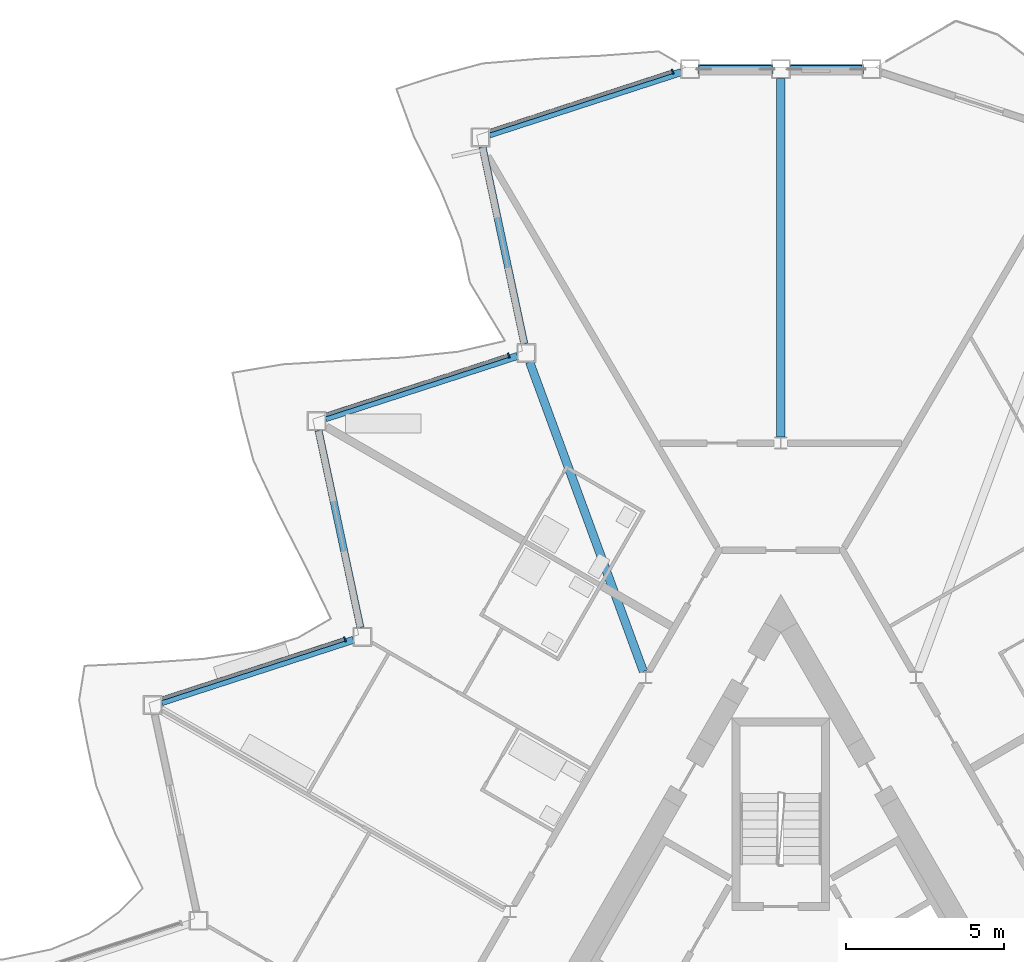
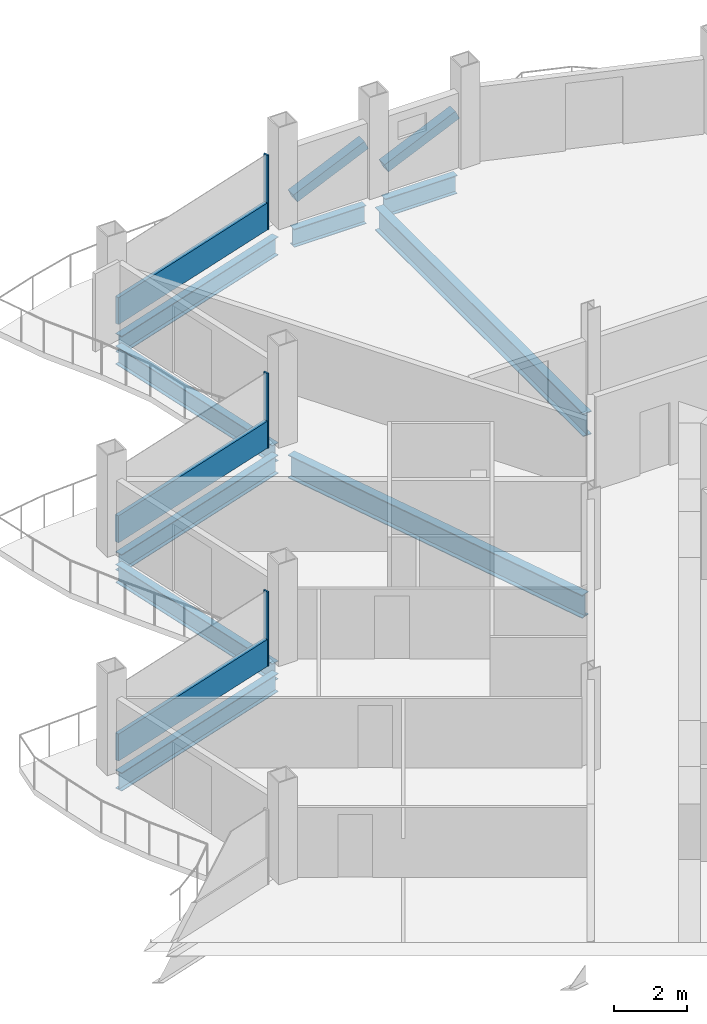
# One storey, part 9 of 26: 9 beams, 8 members, 3 elements without a shape of their own.
"""IFC4 building model written with IfcOpenShell, lengths in metres."""

from ifc_helpers import new_model, si_unit, direction, frame, origin, origin_2d, place, context, subcontext, project, spatial, rectangle, hollow_rectangle, i_section, extrude, material, layer, layer_set, material_profile, profile_set, type_object, element, aggregate, save


model = new_model("IFC4")

# Units and contexts
model_context = context("Model", 3, precision=1e-05, world=origin(), true_north=direction((0.0, 1.0)))
body_context = subcontext(model_context, "Body", "Model", "MODEL_VIEW")
ifc_project = project(units=[si_unit("LENGTHUNIT", "METRE"), si_unit("AREAUNIT", "SQUARE_METRE"), si_unit("VOLUMEUNIT", "CUBIC_METRE"), si_unit("PLANEANGLEUNIT", "RADIAN"), si_unit("MASSUNIT", "GRAM", prefix="KILO")], contexts=[model_context])

# Site, building, storey
site_placement = place(None, origin())
site = spatial("IfcSite", under=ifc_project, at=site_placement, CompositionType="ELEMENT")
building_placement = place(site_placement, origin())
building = spatial("IfcBuilding", under=site, at=building_placement, Name="Cormorant Prow Tower", CompositionType="ELEMENT")
storey_placement = place(building_placement, frame((0.0, 0.0, 339.199951171875)))
storey = spatial("IfcBuildingStorey", under=building, at=storey_placement, Name="L76", CompositionType="ELEMENT", Elevation=339.199951171875)

# Members
ifc_material_1 = material(Name="Structural steel ASTM A500 Gr C", Category="steel")
ifc_material_profile_1 = material_profile(ifc_material_1, hollow_rectangle(XDim=0.3046875, YDim=0.3046875, WallThickness=0.01171875, at=origin_2d()), Name="HSS12x12x1/2")
ifc_profile_set_1 = profile_set([ifc_material_profile_1], Name="Structural steel ASTM A500 Gr C")
member_type_1 = type_object("IfcMemberType", Name="Chamfer brace HSS12x12x1/2", PredefinedType="BRACE", material=ifc_profile_set_1)
for number, where, z_axis, x_axis, name in (
    (1, (0.31494140625, 31.676025390625, 0.7412109375), (0.91256681832, 0.0, 0.408927624528), (0.0, 1.0, 0.0), "Chamfer brace BR3 at N00 L76"),
    (2, (-2.55908203125, 31.676025390625, 0.7412109375), (0.91256681832, 0.0, 0.408927624528), (0.0, 1.0, 0.0), "Chamfer brace BR3 at N01 L76"),
):
    element("IfcMember", number, at=place(storey_placement, frame(where, z_axis=z_axis, x_axis=x_axis)), inside=storey, type_object=member_type_1, Name=name, PredefinedType="BRACE", context=body_context, shape_type="SweptSolid", body=[
        extrude(hollow_rectangle(XDim=0.3046875, YDim=0.3046875, WallThickness=0.01171875, at=origin_2d()), origin(), (0.0, 0.0, 1.0), 2.459228515625),
    ])

# Beams
ifc_material_2 = material(Name="Structural steel ASTM A992 Gr 50", Category="steel")
ifc_material_profile_2 = material_profile(ifc_material_2, i_section(OverallWidth=0.267822265625, OverallDepth=0.77001953125, WebThickness=0.015625, FlangeThickness=0.025390625, at=origin_2d()), Name="W30x132")
ifc_profile_set_2 = profile_set([ifc_material_profile_2], Name="Structural steel ASTM A992 Gr 50")
beam_type_1 = type_object("IfcBeamType", Name="Radial floor beam W30x132", PredefinedType="BEAM", material=ifc_profile_set_2)
beam_1_placement = place(storey_placement, frame((0.0, 20.0087890625, -0.684814453125), z_axis=(0.0, 1.0, 0.0), x_axis=(-1.0, 0.0, 0.0)))
element("IfcBeam", 3, at=beam_1_placement, inside=storey, type_object=beam_type_1, Name="Radial floor beam FB3 1 L76", PredefinedType="BEAM", context=body_context, shape_type="SweptSolid", body=[
    extrude(i_section(OverallWidth=0.267822265625, OverallDepth=0.77001953125, WebThickness=0.015625, FlangeThickness=0.025390625, at=origin_2d()), origin(), (0.0, 0.0, 1.0), 11.3671875),
])
beam_2_placement = place(storey_placement, frame((-4.357421875, 12.5673828125, -0.684814453125), z_axis=(-0.345131226703, 0.938554439739, 0.0), x_axis=(-0.938554439739, -0.345131226703, 0.0)))
element("IfcBeam", 4, at=beam_2_placement, inside=storey, type_object=beam_type_1, Name="Radial floor beam FB3 2 L76", PredefinedType="BEAM", context=body_context, shape_type="SweptSolid", body=[
    extrude(i_section(OverallWidth=0.267822265625, OverallDepth=0.77001953125, WebThickness=0.015625, FlangeThickness=0.025390625, at=origin_2d()), origin(), (0.0, 0.0, 1.0), 10.465087890625),
])

# Curtain wall, member
ifc_material_3 = material(Name="Aluminium 6063-T6", Category="aluminium")
ifc_layer = layer(ifc_material_3, 0.159912109375)
ifc_layer_set = layer_set([ifc_layer], Name="Aluminium 6063-T6")
curtain_wall_type = type_object("IfcCurtainWallType", Name="Residential unitised curtain wall 160", PredefinedType="NOTDEFINED", material=ifc_layer_set)
curtain_wall_1_placement = place(storey_placement, origin())
curtain_wall_1 = element("IfcCurtainWall", 5, at=curtain_wall_1_placement, inside=storey, type_object=curtain_wall_type, Name="Residential curtain wall WNW00", PredefinedType="NOTDEFINED")
ifc_material_4 = material(Name="Aluminium 6063-T6", Category="aluminium")
ifc_material_profile_3 = material_profile(ifc_material_4, rectangle(XDim=0.159912109375, YDim=0.050048828125, at=origin_2d()), Name="Residential mullion 50x160")
ifc_profile_set_3 = profile_set([ifc_material_profile_3], Name="Aluminium 6063-T6")
member_type_2 = type_object("IfcMemberType", Name="Residential mullion 50x160", PredefinedType="MULLION", material=ifc_profile_set_3)
member_1_placement = place(storey_placement, frame((-3.434326171875, 31.596923828125, 0.0), z_axis=(0.0, 0.0, 1.0), x_axis=(0.309017072341, -0.951056490963, 0.0)))
member_1 = element("IfcMember", 6, at=member_1_placement, type_object=member_type_2, Name="Residential mullion WNW00", PredefinedType="MULLION", context=body_context, shape_type="SweptSolid", body=[
    extrude(rectangle(XDim=0.159912109375, YDim=0.050048828125, at=origin_2d()), origin(), (0.0, 0.0, 1.0), 2.488037109375),
])

curtain_wall_2_placement = place(storey_placement, origin())
curtain_wall_2 = element("IfcCurtainWall", 7, at=curtain_wall_2_placement, inside=storey, type_object=curtain_wall_type, Name="Residential curtain wall WNW02", PredefinedType="NOTDEFINED")
member_2_placement = place(storey_placement, frame((-8.6318359375, 22.594482421875, 0.0), z_axis=(0.0, 0.0, 1.0), x_axis=(0.309017072341, -0.951056490963, 0.0)))
member_2 = element("IfcMember", 8, at=member_2_placement, type_object=member_type_2, Name="Residential mullion WNW02", PredefinedType="MULLION", context=body_context, shape_type="SweptSolid", body=[
    extrude(rectangle(XDim=0.159912109375, YDim=0.050048828125, at=origin_2d()), origin(), (0.0, 0.0, 1.0), 2.488037109375),
])

curtain_wall_3_placement = place(storey_placement, origin())
curtain_wall_3 = element("IfcCurtainWall", 9, at=curtain_wall_3_placement, inside=storey, type_object=curtain_wall_type, Name="Residential curtain wall WNW04", PredefinedType="NOTDEFINED")
member_3_placement = place(storey_placement, frame((-13.829345703125, 13.592041015625, 0.0), z_axis=(0.0, 0.0, 1.0), x_axis=(0.309017030329, -0.951056504613, 0.0)))
member_3 = element("IfcMember", 10, at=member_3_placement, type_object=member_type_2, Name="Residential mullion WNW04", PredefinedType="MULLION", context=body_context, shape_type="SweptSolid", body=[
    extrude(rectangle(XDim=0.159912109375, YDim=0.050048828125, at=origin_2d()), origin(), (0.0, 0.0, 1.0), 2.488037109375),
])

# Member
ifc_material_5 = material(Name="Terracotta", Category="masonry")
ifc_material_profile_4 = material_profile(ifc_material_5, rectangle(XDim=0.1201171875, YDim=0.89990234375, at=origin_2d()), Name="Residential terracotta spandrel rail 120x900")
ifc_profile_set_4 = profile_set([ifc_material_profile_4], Name="Terracotta")
member_type_3 = type_object("IfcMemberType", Name="Residential terracotta spandrel rail 120x900", PredefinedType="USERDEFINED", material=ifc_profile_set_4)
member_4_placement = place(storey_placement, frame((-3.4580078125, 31.589111328125, 0.449951171875), z_axis=(-0.951062707515, -0.30899793911, 0.0), x_axis=(0.30899793911, -0.951062707515, 0.0)))
member_4 = element("IfcMember", 11, at=member_4_placement, type_object=member_type_3, Name="Residential spandrel rail WNW00", ObjectType="TRANSOM", PredefinedType="USERDEFINED", context=body_context, shape_type="SweptSolid", body=[
    extrude(rectangle(XDim=0.1201171875, YDim=0.89990234375, at=origin_2d()), origin(), (0.0, 0.0, 1.0), 6.075927734375),
])

aggregate(curtain_wall_1, [member_1, member_4])

member_5_placement = place(storey_placement, frame((-8.655517578125, 22.586669921875, 0.449951171875), z_axis=(-0.951066543841, -0.308986131058, 0.0), x_axis=(0.308986131058, -0.951066543841, 0.0)))
member_5 = element("IfcMember", 12, at=member_5_placement, type_object=member_type_3, Name="Residential spandrel rail WNW02", ObjectType="TRANSOM", PredefinedType="USERDEFINED", context=body_context, shape_type="SweptSolid", body=[
    extrude(rectangle(XDim=0.1201171875, YDim=0.89990234375, at=origin_2d()), origin(), (0.0, 0.0, 1.0), 6.076171875),
])

aggregate(curtain_wall_2, [member_2, member_5])

member_6_placement = place(storey_placement, frame((-13.853271484375, 13.58447265625, 0.449951171875), z_axis=(-0.951050898488, -0.309034283674, 0.0), x_axis=(0.309034283674, -0.951050898488, 0.0)))
member_6 = element("IfcMember", 13, at=member_6_placement, type_object=member_type_3, Name="Residential spandrel rail WNW04", ObjectType="TRANSOM", PredefinedType="USERDEFINED", context=body_context, shape_type="SweptSolid", body=[
    extrude(rectangle(XDim=0.1201171875, YDim=0.89990234375, at=origin_2d()), origin(), (0.0, 0.0, 1.0), 6.075927734375),
])

aggregate(curtain_wall_3, [member_3, member_6])

# Beams
ifc_material_6 = material(Name="Structural steel ASTM A992 Gr 50", Category="steel")
ifc_material_profile_5 = material_profile(ifc_material_6, i_section(OverallWidth=0.22900390625, OverallDepth=0.612060546875, WebThickness=0.011962890625, FlangeThickness=0.01953125, at=origin_2d()), Name="W24x84")
ifc_profile_set_5 = profile_set([ifc_material_profile_5], Name="Structural steel ASTM A992 Gr 50")
beam_type_2 = type_object("IfcBeamType", Name="Spandrel beam W24x84", PredefinedType="SPANDREL", material=ifc_profile_set_5)
for number, where, z_axis, x_axis, name in (
    (14, (2.57373046875, 31.676025390625, -0.60595703125), (-1.0, 0.0, 0.0), (0.0, -1.0, 0.0), "Spandrel beam SB3 N00-N01 L76"),
    (15, (-0.300048828125, 31.676025390625, -0.60595703125), (-1.0, 0.0, 0.0), (0.0, -1.0, 0.0), "Spandrel beam SB3 N01-WNW00 L76"),
):
    element("IfcBeam", number, at=place(storey_placement, frame(where, z_axis=z_axis, x_axis=x_axis)), inside=storey, type_object=beam_type_2, Name=name, PredefinedType="SPANDREL", context=body_context, shape_type="SweptSolid", body=[
        extrude(i_section(OverallWidth=0.22900390625, OverallDepth=0.612060546875, WebThickness=0.011962890625, FlangeThickness=0.01953125, at=origin_2d()), origin(), (0.0, 0.0, 1.0), 2.273681640625),
    ])
beam_3_placement = place(storey_placement, frame((-3.1591796875, 31.583251953125, -0.60595703125), z_axis=(-0.951064359156, -0.308992855489, 0.0), x_axis=(0.308992855489, -0.951064359156, 0.0)))
element("IfcBeam", 16, at=beam_3_placement, inside=storey, type_object=beam_type_2, Name="Spandrel beam SB3 WNW00-WNW01 L76", PredefinedType="SPANDREL", context=body_context, shape_type="SweptSolid", body=[
    extrude(i_section(OverallWidth=0.22900390625, OverallDepth=0.612060546875, WebThickness=0.011962890625, FlangeThickness=0.01953125, at=origin_2d()), origin(), (0.0, 0.0, 1.0), 6.39599609375),
])
beam_4_placement = place(storey_placement, frame((-9.465087890625, 29.220703125, -0.60595703125), z_axis=(0.20791262393, -0.978147402394, 0.0), x_axis=(0.978147402394, 0.20791262393, 0.0)))
element("IfcBeam", 17, at=beam_4_placement, inside=storey, type_object=beam_type_2, Name="Spandrel beam SB3 WNW01-WNW02 L76", PredefinedType="SPANDREL", context=body_context, shape_type="SweptSolid", body=[
    extrude(i_section(OverallWidth=0.22900390625, OverallDepth=0.612060546875, WebThickness=0.011962890625, FlangeThickness=0.01953125, at=origin_2d()), origin(), (0.0, 0.0, 1.0), 6.396240234375),
])
for number, where, z_axis, x_axis, name in (
    (18, (-8.358154296875, 22.578369140625, -0.60595703125), (-0.95105314132, -0.309027381286, 0.0), (0.309027381286, -0.95105314132, 0.0), "Spandrel beam SB3 WNW02-WNW03 L76"),
    (19, (-14.6640625, 20.215576171875, -0.60595703125), (0.207920386839, -0.978145752297, 0.0), (0.978145752297, 0.207920386839, 0.0), "Spandrel beam SB3 WNW03-WNW04 L76"),
    (20, (-13.557373046875, 13.5732421875, -0.60595703125), (-0.95105314132, -0.309027381286, 0.0), (0.309027381286, -0.95105314132, 0.0), "Spandrel beam SB3 WNW04-WNW05 L76"),
):
    element("IfcBeam", number, at=place(storey_placement, frame(where, z_axis=z_axis, x_axis=x_axis)), inside=storey, type_object=beam_type_2, Name=name, PredefinedType="SPANDREL", context=body_context, shape_type="SweptSolid", body=[
        extrude(i_section(OverallWidth=0.22900390625, OverallDepth=0.612060546875, WebThickness=0.011962890625, FlangeThickness=0.01953125, at=origin_2d()), origin(), (0.0, 0.0, 1.0), 6.39599609375),
    ])

save(model, "model.ifc")
